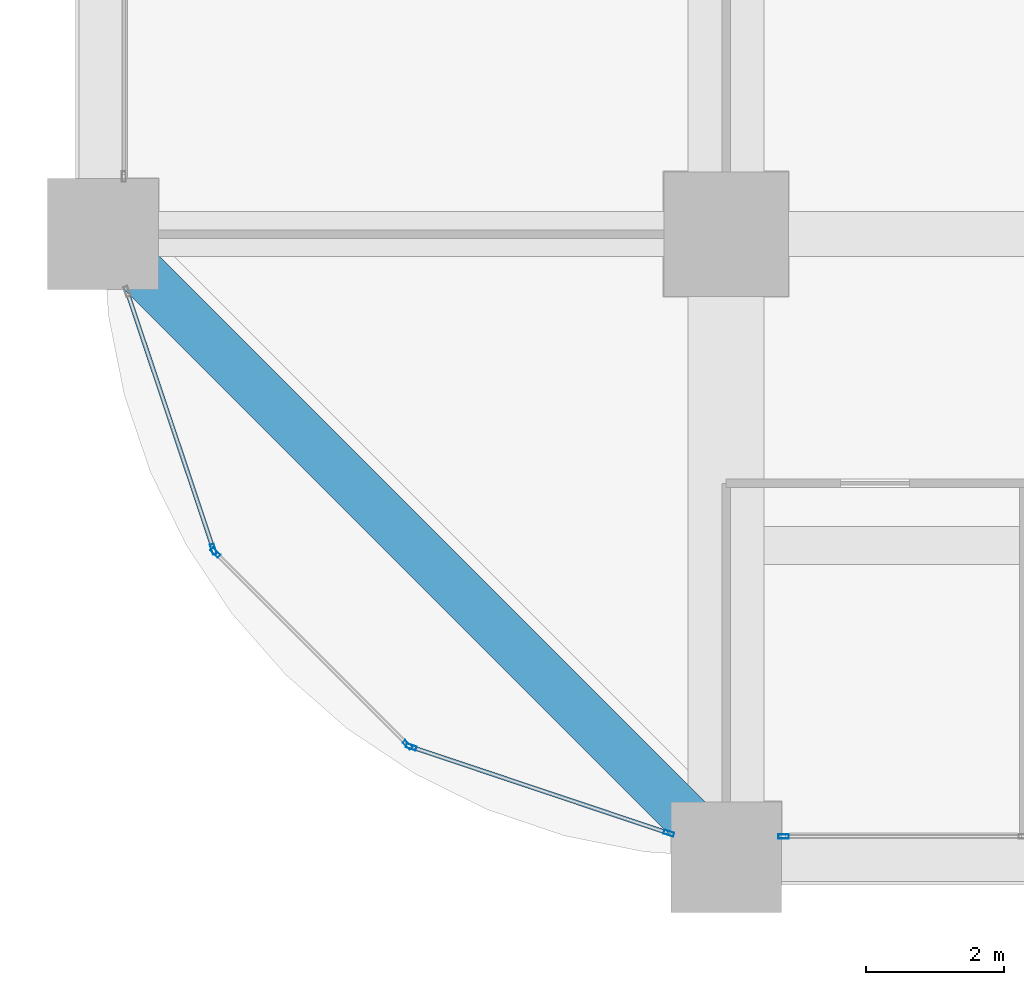
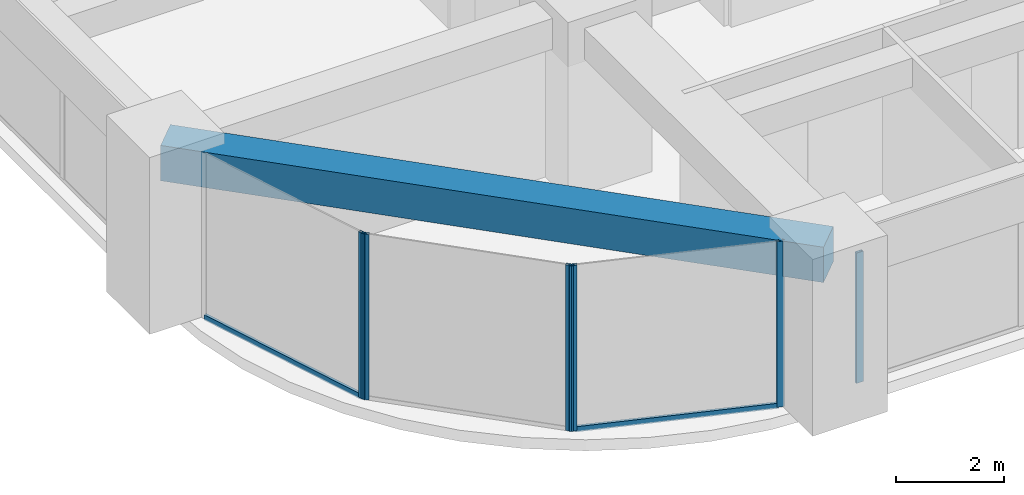
# One storey, part 2 of 40: 8 members, 1 beam, 4 elements without a shape of their own.
"""IFC4 building model written with IfcOpenShell, lengths in metres."""

import ifcopenshell
import ifcopenshell.guid

model = None  # the IFC model being written
_history = None  # IfcOwnerHistory: only IFC2X3 demands one
_inside = {}  # id of a spatial element -> (the spatial element, [elements in it])
_under = {}  # id of a project, library or spatial element -> (it, [spatial elements below it])
_declared = {}  # id of a project -> (the project, [libraries it declares])
_typed = {}  # id of a type object -> (the type object, [elements of that type])
_made_of = {}  # id of a material, layer set ... -> (it, [elements and type objects made of it])


def new_model(schema):
    """Start an empty IFC model of exactly this schema.

    Asked for "IFC4X3", IfcOpenShell would pick the latest addendum, in which some entities
    have other attributes; the version numbers below select the first issue.
    IFC2X3 requires an IfcOwnerHistory on every rooted entity: one is made here for all.
    """
    global model, _history
    if schema == "IFC4X3":
        model = ifcopenshell.file(schema_version=(4, 3, 0, 0))
    else:
        model = ifcopenshell.file(schema=schema)
    _inside.clear()
    _under.clear()
    _declared.clear()
    _typed.clear()
    _made_of.clear()
    _history = None
    if model.schema == "IFC2X3":
        org = make("IfcOrganization", Name="unknown")
        user = make(
            "IfcPersonAndOrganization",
            ThePerson=make("IfcPerson", FamilyName="unknown"),
            TheOrganization=org,
        )
        app = make(
            "IfcApplication",
            ApplicationDeveloper=org,
            Version="unknown",
            ApplicationFullName="unknown",
            ApplicationIdentifier="unknown",
        )
        _history = make(
            "IfcOwnerHistory",
            OwningUser=user,
            OwningApplication=app,
            ChangeAction="ADDED",
            CreationDate=0,
        )
    return model


def make(cls, **values):
    """One entity of the class cls with the attributes given. An attribute that is None is left unset."""
    return model.create_entity(
        cls, **{name: value for name, value in values.items() if value is not None}
    )


def rooted(cls, **values):
    """An entity with a GlobalId (a new one), such as an element, a storey or a relation."""
    return make(cls, GlobalId=ifcopenshell.guid.new(), OwnerHistory=_history, **values)


def si_unit(unit_type, name, prefix=None):
    """IfcSIUnit, for example si_unit("LENGTHUNIT", "METRE", prefix="MILLI")."""
    return make("IfcSIUnit", UnitType=unit_type, Prefix=prefix, Name=name)


def assignment(units):
    """IfcUnitAssignment: the units of a project."""
    return None if units is None else make("IfcUnitAssignment", Units=units)


def point(xyz):
    """IfcCartesianPoint."""
    return None if xyz is None else make("IfcCartesianPoint", Coordinates=xyz)


def direction(xyz):
    """IfcDirection."""
    return None if xyz is None else make("IfcDirection", DirectionRatios=xyz)


def frame(location, z_axis=None, x_axis=None):
    """IfcAxis2Placement3D, a coordinate frame: its origin and axes. An axis left out is left unset."""
    return make(
        "IfcAxis2Placement3D",
        Location=point(location),
        Axis=direction(z_axis),
        RefDirection=direction(x_axis),
    )


def frame_2d(location, x_axis=None):
    """IfcAxis2Placement2D, a coordinate frame in the plane: its origin and x axis."""
    return make(
        "IfcAxis2Placement2D", Location=point(location), RefDirection=direction(x_axis)
    )


def origin():
    """The frame at (0, 0, 0) with its axes left unset."""
    return frame((0.0, 0.0, 0.0))


def origin_2d():
    """The frame at (0, 0) in the plane with its x axis left unset."""
    return frame_2d((0.0, 0.0))


def place(relative_to, where):
    """IfcLocalPlacement: puts the frame where relative to a parent placement (None: the world)."""
    return make(
        "IfcLocalPlacement", PlacementRelTo=relative_to, RelativePlacement=where
    )


def context(
    kind, dimensions, precision=None, world=None, true_north=None, identifier=None
):
    """IfcGeometricRepresentationContext, for example the 3D "Model" context."""
    return make(
        "IfcGeometricRepresentationContext",
        ContextIdentifier=identifier,
        ContextType=kind,
        CoordinateSpaceDimension=dimensions,
        Precision=precision,
        WorldCoordinateSystem=world,
        TrueNorth=true_north,
    )


def subcontext(parent, identifier, kind, view, scale=None):
    """IfcGeometricRepresentationSubContext, for example "Body" below "Model"."""
    return make(
        "IfcGeometricRepresentationSubContext",
        ContextIdentifier=identifier,
        ContextType=kind,
        ParentContext=parent,
        TargetScale=scale,
        TargetView=view,
    )


def project(units=None, contexts=None):
    """IfcProject with its units and contexts."""
    return rooted(
        "IfcProject",
        Name="project",
        RepresentationContexts=contexts,
        UnitsInContext=assignment(units),
    )


def spatial(cls, under=None, at=None, **own):
    """A site, building, storey or space (cls), placed at a placement, below another one or the project."""
    s = rooted(cls, ObjectPlacement=at, **own)
    if under is not None:
        _under.setdefault(under.id(), (under, []))[1].append(s)
    return s


def profile(cls, at=None, kind="AREA", **sizes):
    """A parametric profile (cls). Its sizes go by their IFC names, for example OverallWidth=200.0."""
    return make(cls, ProfileType=kind, Position=at, **sizes)


def rectangle(**sizes):
    """IfcRectangleProfileDef."""
    return profile("IfcRectangleProfileDef", **sizes)


def hollow_rectangle(**sizes):
    """IfcRectangleHollowProfileDef."""
    return profile("IfcRectangleHollowProfileDef", **sizes)


def extrude(swept, where, along, depth):
    """IfcExtrudedAreaSolid: the profile swept, set in the frame where, extruded along a direction by depth."""
    return make(
        "IfcExtrudedAreaSolid",
        SweptArea=swept,
        Position=where,
        ExtrudedDirection=direction(along),
        Depth=depth,
    )


def shape(context_of_items, identifier, shape_type, items):
    """IfcShapeRepresentation: the items that make up one representation, for example the "Body"."""
    return make(
        "IfcShapeRepresentation",
        ContextOfItems=context_of_items,
        RepresentationIdentifier=identifier,
        RepresentationType=shape_type,
        Items=items,
    )


def material(Name=None, Category=None):
    """IfcMaterial."""
    return make("IfcMaterial", Name=Name, Category=Category)


def material_profile(
    of_material, cross_section, Name=None, Category=None, Priority=None
):
    """IfcMaterialProfile: a cross section and its material."""
    return make(
        "IfcMaterialProfile",
        Name=Name,
        Material=of_material,
        Profile=cross_section,
        Priority=Priority,
        Category=Category,
    )


def profile_set(profiles, Name=None, composite=None):
    """IfcMaterialProfileSet."""
    return make(
        "IfcMaterialProfileSet",
        Name=Name,
        MaterialProfiles=profiles,
        CompositeProfile=composite,
    )


def made_of(thing, what):
    """Note that an element or type object is made of a material, layer set ...; save() writes the relation."""
    if what is not None:
        _made_of.setdefault(what.id(), (what, []))[1].append(thing)
    return thing


def type_object(cls, material=None, **own):
    """A type object (cls), such as IfcWallType, which elements share."""
    return made_of(rooted(cls, **own), material)


def element(
    cls,
    number,
    at=None,
    inside=None,
    cuts=None,
    type_object=None,
    material=None,
    context=None,
    identifier="Body",
    shape_type=None,
    held_by="IfcProductDefinitionShape",
    body=None,
    shapes=None,
    **own,
):
    """One element of the class cls, such as IfcWall. Its Tag is "e" and its number.

    at: its placement. inside: the storey or other place that contains it. cuts: it is an
    opening in that element (IfcRelVoidsElement). A single representation is given by context,
    identifier, shape_type and body (its items); several are given by shapes. held_by: the class
    of the entity that holds the representations. save() writes the other relations.
    """
    e = rooted(cls, Tag="e%d" % number, ObjectPlacement=at, **own)
    if body is not None:
        shapes = [shape(context, identifier, shape_type, body)]
    if shapes is not None:
        e.Representation = make(held_by, Representations=shapes)
    if inside is not None:
        _inside.setdefault(inside.id(), (inside, []))[1].append(e)
    if cuts is not None:
        rooted(
            "IfcRelVoidsElement", RelatingBuildingElement=cuts, RelatedOpeningElement=e
        )
    if type_object is not None:
        _typed.setdefault(type_object.id(), (type_object, []))[1].append(e)
    return made_of(e, material)


def aggregate(whole, parts):
    """IfcRelAggregates: a whole, such as a stair, and the parts it consists of."""
    return rooted("IfcRelAggregates", RelatingObject=whole, RelatedObjects=parts)


def save(model, path):
    """Write the relations noted so far, then the file.

    IfcRelAggregates (storeys below a building ...), IfcRelContainedInSpatialStructure (elements
    in a storey), IfcRelDefinesByType, IfcRelAssociatesMaterial and IfcRelDeclares: one each for
    every whole, place, type object, material and project.
    """
    for whole, parts in _under.values():
        aggregate(whole, parts)
    for where, things in _inside.values():
        rooted(
            "IfcRelContainedInSpatialStructure",
            RelatedElements=things,
            RelatingStructure=where,
        )
    for kind, things in _typed.values():
        rooted("IfcRelDefinesByType", RelatedObjects=things, RelatingType=kind)
    for what, things in _made_of.values():
        rooted("IfcRelAssociatesMaterial", RelatedObjects=things, RelatingMaterial=what)
    for by, libraries in _declared.values():
        rooted("IfcRelDeclares", RelatingContext=by, RelatedDefinitions=libraries)
    model.write(path)


model = new_model("IFC4")

# Units and contexts
model_context = context("Model", 3, precision=1e-05, world=origin(), true_north=direction((0.0, 1.0)))
body_context = subcontext(model_context, "Body", "Model", "MODEL_VIEW")
ifc_project = project(units=[si_unit("LENGTHUNIT", "METRE"), si_unit("AREAUNIT", "SQUARE_METRE"), si_unit("VOLUMEUNIT", "CUBIC_METRE"), si_unit("PLANEANGLEUNIT", "RADIAN"), si_unit("MASSUNIT", "GRAM", prefix="KILO")], contexts=[model_context])

# Site, building, storey
site_placement = place(None, origin())
site = spatial("IfcSite", under=ifc_project, at=site_placement, CompositionType="ELEMENT")
building_placement = place(site_placement, origin())
building = spatial("IfcBuilding", under=site, at=building_placement, Name="Zorevar Civic Tower", CompositionType="ELEMENT")
storey_placement = place(building_placement, frame((0.0, 0.0, 133.0)))
storey = spatial("IfcBuildingStorey", under=building, at=storey_placement, Name="L32", CompositionType="ELEMENT", Elevation=133.0)

# Curtain wall, member
ifc_material_1 = material(Name="Dark grey solar-control glass in black aluminium frame", Category="aluminium")
curtain_wall_type = type_object("IfcCurtainWallType", Name="Curtain wall CW3 mid zone", PredefinedType="NOTDEFINED", material=ifc_material_1)
curtain_wall_1_placement = place(storey_placement, origin())
curtain_wall_1 = element("IfcCurtainWall", 1, at=curtain_wall_1_placement, inside=storey, type_object=curtain_wall_type, Name="CW3 L32", PredefinedType="NOTDEFINED")
ifc_material_2 = material(Name="Aluminium, black anodised", Category="aluminium")
ifc_material_profile_1 = material_profile(ifc_material_2, hollow_rectangle(XDim=0.06005859375, YDim=0.14990234375, WallThickness=0.00390625, at=origin_2d()), Name="AL 150x60x4")
ifc_profile_set_1 = profile_set([ifc_material_profile_1], Name="Aluminium, black anodised")
member_type_1 = type_object("IfcMemberType", Name="CW3 mullion AL 150x60x4", PredefinedType="MULLION", material=ifc_profile_set_1)
member_1_placement = place(storey_placement, frame((9.830078125, 0.300048828125, 0.0), z_axis=(0.0, 0.0, 1.0), x_axis=(0.0, 1.0, 0.0)))
member_1 = element("IfcMember", 2, at=member_1_placement, type_object=member_type_1, Name="CW3 mullion 1", PredefinedType="MULLION", context=body_context, shape_type="SweptSolid", body=[
    extrude(hollow_rectangle(XDim=0.06005859375, YDim=0.14990234375, WallThickness=0.00390625, at=origin_2d()), origin(), (0.0, 0.0, 1.0), 2.949951171875),
])
aggregate(curtain_wall_1, [member_1])

curtain_wall_2_placement = place(storey_placement, origin())
curtain_wall_2 = element("IfcCurtainWall", 3, at=curtain_wall_2_placement, inside=storey, type_object=curtain_wall_type, Name="CW3 L32", PredefinedType="NOTDEFINED")
member_2_placement = place(storey_placement, frame((1.59326171875, 4.44921875, 0.0), z_axis=(0.0, 0.0, 1.0), x_axis=(0.948227238701, 0.317592669603, 0.0)))
member_2 = element("IfcMember", 4, at=member_2_placement, type_object=member_type_1, Name="CW3 mullion 2", PredefinedType="MULLION", context=body_context, shape_type="SweptSolid", body=[
    extrude(hollow_rectangle(XDim=0.06005859375, YDim=0.14990234375, WallThickness=0.00390625, at=origin_2d()), origin(), (0.0, 0.0, 1.0), 3.75),
])

# Curtain wall, members
curtain_wall_3_placement = place(storey_placement, origin())
curtain_wall_3 = element("IfcCurtainWall", 5, at=curtain_wall_3_placement, inside=storey, type_object=curtain_wall_type, Name="CW3 L32", PredefinedType="NOTDEFINED")
member_3_placement = place(storey_placement, frame((1.6240234375, 4.399658203125, 0.0), z_axis=(0.0, 0.0, 1.0), x_axis=(0.707106781187, 0.707106781187, 0.0)))
member_3 = element("IfcMember", 6, at=member_3_placement, type_object=member_type_1, Name="CW3 mullion 1", PredefinedType="MULLION", context=body_context, shape_type="SweptSolid", body=[
    extrude(hollow_rectangle(XDim=0.06005859375, YDim=0.14990234375, WallThickness=0.00390625, at=origin_2d()), origin(), (0.0, 0.0, 1.0), 3.75),
])
member_4_placement = place(storey_placement, frame((4.399658203125, 1.6240234375, 0.0), z_axis=(0.0, 0.0, 1.0), x_axis=(0.707106781187, 0.707106781187, 0.0)))
member_4 = element("IfcMember", 7, at=member_4_placement, type_object=member_type_1, Name="CW3 mullion 2", PredefinedType="MULLION", context=body_context, shape_type="SweptSolid", body=[
    extrude(hollow_rectangle(XDim=0.06005859375, YDim=0.14990234375, WallThickness=0.00390625, at=origin_2d()), origin(), (0.0, 0.0, 1.0), 3.75),
])
aggregate(curtain_wall_3, [member_3, member_4])

curtain_wall_4_placement = place(storey_placement, origin())
curtain_wall_4 = element("IfcCurtainWall", 8, at=curtain_wall_4_placement, inside=storey, type_object=curtain_wall_type, Name="CW3 L32", PredefinedType="NOTDEFINED")
member_5_placement = place(storey_placement, frame((4.44921875, 1.59326171875, 0.0), z_axis=(0.0, 0.0, 1.0), x_axis=(0.317592669603, 0.948227238701, 0.0)))
member_5 = element("IfcMember", 9, at=member_5_placement, type_object=member_type_1, Name="CW3 mullion 1", PredefinedType="MULLION", context=body_context, shape_type="SweptSolid", body=[
    extrude(hollow_rectangle(XDim=0.06005859375, YDim=0.14990234375, WallThickness=0.00390625, at=origin_2d()), origin(), (0.0, 0.0, 1.0), 3.75),
])
member_6_placement = place(storey_placement, frame((8.171630859375, 0.346435546875, 0.0), z_axis=(0.0, 0.0, 1.0), x_axis=(0.317592669603, 0.948227238701, 0.0)))
member_6 = element("IfcMember", 10, at=member_6_placement, type_object=member_type_1, Name="CW3 mullion 2", PredefinedType="MULLION", context=body_context, shape_type="SweptSolid", body=[
    extrude(hollow_rectangle(XDim=0.06005859375, YDim=0.14990234375, WallThickness=0.00390625, at=origin_2d()), origin(), (0.0, 0.0, 1.0), 3.75),
])

# Member
ifc_material_3 = material(Name="Aluminium, black anodised", Category="aluminium")
ifc_material_profile_2 = material_profile(ifc_material_3, hollow_rectangle(XDim=0.06005859375, YDim=0.1201171875, WallThickness=0.0029296875, at=origin_2d()), Name="AL 120x60x3")
ifc_profile_set_2 = profile_set([ifc_material_profile_2], Name="Aluminium, black anodised")
member_type_2 = type_object("IfcMemberType", Name="CW3 transom AL 120x60x3", PredefinedType="USERDEFINED", material=ifc_profile_set_2)
member_7_placement = place(storey_placement, frame((0.35595703125, 8.14306640625, 0.030029296875), z_axis=(0.317629563458, -0.94821488093, 0.0), x_axis=(0.94821488093, 0.317629563458, 0.0)))
member_7 = element("IfcMember", 11, at=member_7_placement, type_object=member_type_2, Name="CW3 sill transom", ObjectType="TRANSOM", PredefinedType="USERDEFINED", context=body_context, shape_type="SweptSolid", body=[
    extrude(hollow_rectangle(XDim=0.06005859375, YDim=0.1201171875, WallThickness=0.0029296875, at=origin_2d()), origin(), (0.0, 0.0, 1.0), 3.865478515625),
])

aggregate(curtain_wall_2, [member_2, member_7])

member_8_placement = place(storey_placement, frame((4.477783203125, 1.583740234375, 0.030029296875), z_axis=(0.94821488093, -0.317629563458, 0.0), x_axis=(0.317629563458, 0.94821488093, 0.0)))
member_8 = element("IfcMember", 12, at=member_8_placement, type_object=member_type_2, Name="CW3 sill transom", ObjectType="TRANSOM", PredefinedType="USERDEFINED", context=body_context, shape_type="SweptSolid", body=[
    extrude(hollow_rectangle(XDim=0.06005859375, YDim=0.1201171875, WallThickness=0.0029296875, at=origin_2d()), origin(), (0.0, 0.0, 1.0), 3.865478515625),
])

aggregate(curtain_wall_4, [member_5, member_6, member_8])

# Beam
ifc_material_4 = material(Name="Concrete C50/60", Category="concrete")
ifc_material_profile_3 = material_profile(ifc_material_4, rectangle(XDim=0.699951171875, YDim=0.800048828125, at=origin_2d()), Name="RC 700x800")
ifc_profile_set_3 = profile_set([ifc_material_profile_3], Name="Concrete C50/60")
beam_type = type_object("IfcBeamType", Name="Edge beam RC 700x800", PredefinedType="SPANDREL", material=ifc_profile_set_3)
beam_placement = place(storey_placement, frame((0.0, 9.0, 3.35009765625), z_axis=(0.707106781187, -0.707106781187, 0.0), x_axis=(0.707106781187, 0.707106781187, 0.0)))
element("IfcBeam", 13, at=beam_placement, inside=storey, type_object=beam_type, Name="Corner edge beam L33", PredefinedType="SPANDREL", context=body_context, shape_type="SweptSolid", body=[
    extrude(rectangle(XDim=0.699951171875, YDim=0.800048828125, at=origin_2d()), origin(), (0.0, 0.0, 1.0), 12.72802734375),
])

save(model, "model.ifc")
